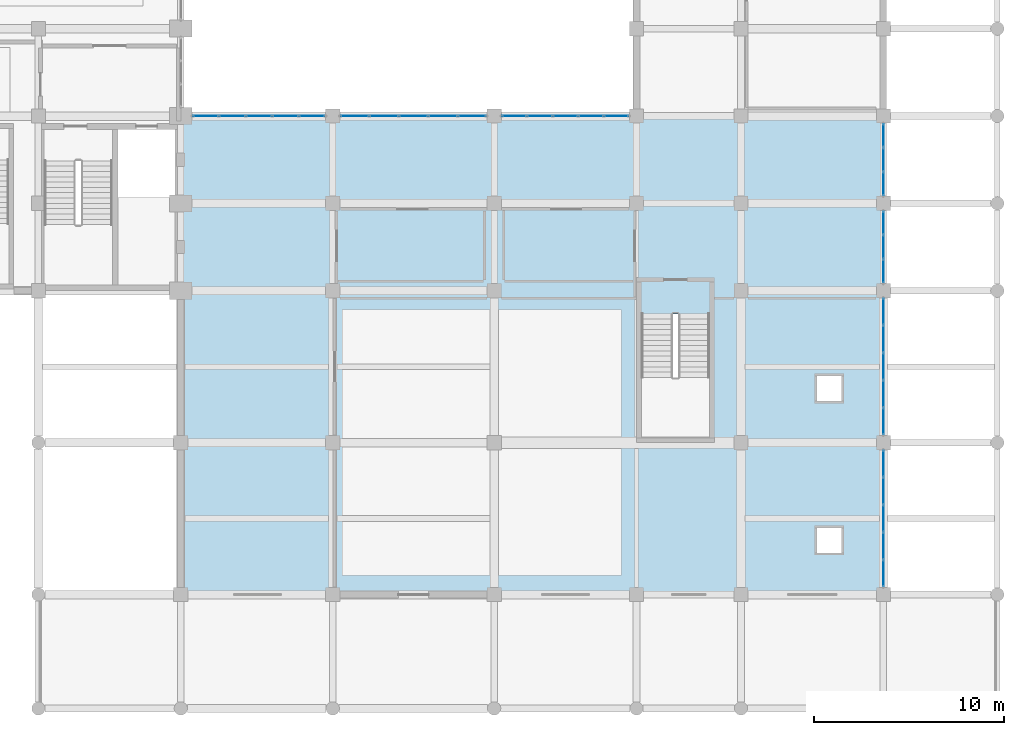
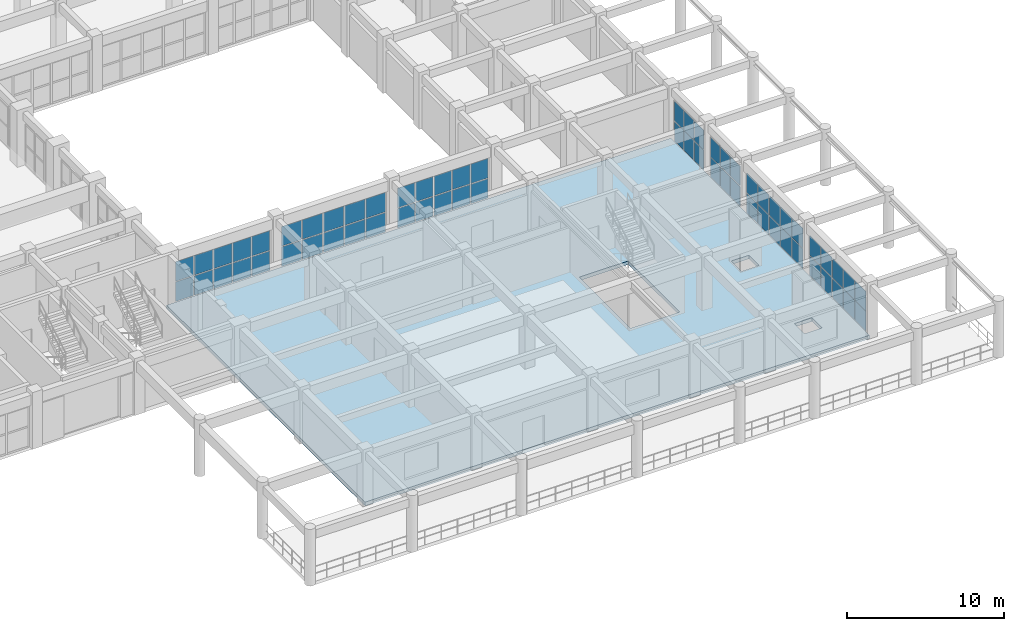
# One storey, part 91 of 116: 62 plates, 1 slab, 7 elements without a shape of their own.
"""IFC4 building model written with IfcOpenShell, lengths in metres."""

from ifc_helpers import new_model, si_unit, direction, frame, origin, origin_2d, place, context, subcontext, project, spatial, polyline, rectangle, outline, extrude, material, layer, layer_set, type_object, element, aggregate, save


model = new_model("IFC4")

# Units and contexts
model_context = context("Model", 3, precision=1e-05, world=origin(), true_north=direction((0.0, 1.0)))
body_context = subcontext(model_context, "Body", "Model", "MODEL_VIEW")
ifc_project = project(units=[si_unit("LENGTHUNIT", "METRE"), si_unit("AREAUNIT", "SQUARE_METRE"), si_unit("VOLUMEUNIT", "CUBIC_METRE"), si_unit("PLANEANGLEUNIT", "RADIAN"), si_unit("MASSUNIT", "GRAM", prefix="KILO")], contexts=[model_context])

# Site, building, storey
site_placement = place(None, origin())
site = spatial("IfcSite", under=ifc_project, at=site_placement, CompositionType="ELEMENT")
building_placement = place(site_placement, origin())
building = spatial("IfcBuilding", under=site, at=building_placement, Name="Muzn Square Opera House", CompositionType="ELEMENT")
storey_placement = place(building_placement, frame((0.0, 0.0, 5.39990234375)))
storey = spatial("IfcBuildingStorey", under=building, at=storey_placement, Name="L01", CompositionType="ELEMENT", Elevation=5.39990234375)

# Curtain wall, plates
ifc_material_1 = material(Name="Low-E laminated acoustic double glazing", Category="glass")
ifc_layer_1 = layer(ifc_material_1, 0.159912109375, Name="Low-E laminated acoustic double glazing", Category="glass")
ifc_layer_set_1 = layer_set([ifc_layer_1], Name="Low-E laminated acoustic double glazing")
curtain_wall_type_1 = type_object("IfcCurtainWallType", Name="Glazed Curtain Wall EastCloisterS 7025x3200", PredefinedType="USERDEFINED", material=ifc_layer_set_1)
curtain_wall_1_placement = place(storey_placement, origin())
curtain_wall_1 = element("IfcCurtainWall", 1, at=curtain_wall_1_placement, inside=storey, type_object=curtain_wall_type_1, Name="Glazed Curtain Wall CW-L01-087", ObjectType="GLAZED CURTAIN WALL", PredefinedType="USERDEFINED")
ifc_layer_2 = layer(ifc_material_1, 0.028076171875, Name="Low-E laminated acoustic double glazing", Category="glass")
ifc_layer_set_2 = layer_set([ifc_layer_2], Name="Low-E laminated acoustic double glazing")
plate_type = type_object("IfcPlateType", Name="Curtain Wall Acoustic Glazed Panel 28mm", PredefinedType="CURTAIN_PANEL", material=ifc_layer_set_2)
plate_1_placement = place(storey_placement, frame((134.3173828125, 31.199951171875, 0.06005859375), z_axis=(0.0, 0.0, 1.0), x_axis=(1.0, 0.0, 0.0)))
plate_1 = element("IfcPlate", 2, at=plate_1_placement, type_object=plate_type, Name="CW-ECS-70x32 panel 1.1", PredefinedType="CURTAIN_PANEL", context=body_context, shape_type="SweptSolid", body=[
    extrude(rectangle(XDim=1.31494140625, YDim=0.028076171875, at=origin_2d()), origin(), (0.0, 0.0, 1.0), 1.510009765625),
])
plate_2_placement = place(storey_placement, frame((134.3173828125, 31.199951171875, 1.6298828125), z_axis=(0.0, 0.0, 1.0), x_axis=(1.0, 0.0, 0.0)))
plate_2 = element("IfcPlate", 3, at=plate_2_placement, type_object=plate_type, Name="CW-ECS-70x32 panel 1.2", PredefinedType="CURTAIN_PANEL", context=body_context, shape_type="SweptSolid", body=[
    extrude(rectangle(XDim=1.31494140625, YDim=0.028076171875, at=origin_2d()), origin(), (0.0, 0.0, 1.0), 1.510009765625),
])
plate_3_placement = place(storey_placement, frame((135.70751953125, 31.199951171875, 0.06005859375), z_axis=(0.0, 0.0, 1.0), x_axis=(1.0, 0.0, 0.0)))
plate_3 = element("IfcPlate", 4, at=plate_3_placement, type_object=plate_type, Name="CW-ECS-70x32 panel 2.1", PredefinedType="CURTAIN_PANEL", context=body_context, shape_type="SweptSolid", body=[
    extrude(rectangle(XDim=1.344970703125, YDim=0.028076171875, at=origin_2d()), origin(), (0.0, 0.0, 1.0), 1.510009765625),
])
plate_4_placement = place(storey_placement, frame((135.70751953125, 31.199951171875, 1.6298828125), z_axis=(0.0, 0.0, 1.0), x_axis=(1.0, 0.0, 0.0)))
plate_4 = element("IfcPlate", 5, at=plate_4_placement, type_object=plate_type, Name="CW-ECS-70x32 panel 2.2", PredefinedType="CURTAIN_PANEL", context=body_context, shape_type="SweptSolid", body=[
    extrude(rectangle(XDim=1.344970703125, YDim=0.028076171875, at=origin_2d()), origin(), (0.0, 0.0, 1.0), 1.510009765625),
])
plate_5_placement = place(storey_placement, frame((137.112548828125, 31.199951171875, 0.06005859375), z_axis=(0.0, 0.0, 1.0), x_axis=(1.0, 0.0, 0.0)))
plate_5 = element("IfcPlate", 6, at=plate_5_placement, type_object=plate_type, Name="CW-ECS-70x32 panel 3.1", PredefinedType="CURTAIN_PANEL", context=body_context, shape_type="SweptSolid", body=[
    extrude(rectangle(XDim=1.344970703125, YDim=0.028076171875, at=origin_2d()), origin(), (0.0, 0.0, 1.0), 1.510009765625),
])
plate_6_placement = place(storey_placement, frame((137.112548828125, 31.199951171875, 1.6298828125), z_axis=(0.0, 0.0, 1.0), x_axis=(1.0, 0.0, 0.0)))
plate_6 = element("IfcPlate", 7, at=plate_6_placement, type_object=plate_type, Name="CW-ECS-70x32 panel 3.2", PredefinedType="CURTAIN_PANEL", context=body_context, shape_type="SweptSolid", body=[
    extrude(rectangle(XDim=1.344970703125, YDim=0.028076171875, at=origin_2d()), origin(), (0.0, 0.0, 1.0), 1.510009765625),
])
plate_7_placement = place(storey_placement, frame((138.517578125, 31.199951171875, 0.06005859375), z_axis=(0.0, 0.0, 1.0), x_axis=(1.0, 0.0, 0.0)))
plate_7 = element("IfcPlate", 8, at=plate_7_placement, type_object=plate_type, Name="CW-ECS-70x32 panel 4.1", PredefinedType="CURTAIN_PANEL", context=body_context, shape_type="SweptSolid", body=[
    extrude(rectangle(XDim=1.344970703125, YDim=0.028076171875, at=origin_2d()), origin(), (0.0, 0.0, 1.0), 1.510009765625),
])
plate_8_placement = place(storey_placement, frame((138.517578125, 31.199951171875, 1.6298828125), z_axis=(0.0, 0.0, 1.0), x_axis=(1.0, 0.0, 0.0)))
plate_8 = element("IfcPlate", 9, at=plate_8_placement, type_object=plate_type, Name="CW-ECS-70x32 panel 4.2", PredefinedType="CURTAIN_PANEL", context=body_context, shape_type="SweptSolid", body=[
    extrude(rectangle(XDim=1.344970703125, YDim=0.028076171875, at=origin_2d()), origin(), (0.0, 0.0, 1.0), 1.510009765625),
])
plate_9_placement = place(storey_placement, frame((139.907470703125, 31.199951171875, 0.06005859375), z_axis=(0.0, 0.0, 1.0), x_axis=(1.0, 0.0, 0.0)))
plate_9 = element("IfcPlate", 10, at=plate_9_placement, type_object=plate_type, Name="CW-ECS-70x32 panel 5.1", PredefinedType="CURTAIN_PANEL", context=body_context, shape_type="SweptSolid", body=[
    extrude(rectangle(XDim=1.31494140625, YDim=0.028076171875, at=origin_2d()), origin(), (0.0, 0.0, 1.0), 1.510009765625),
])
plate_10_placement = place(storey_placement, frame((139.907470703125, 31.199951171875, 1.6298828125), z_axis=(0.0, 0.0, 1.0), x_axis=(1.0, 0.0, 0.0)))
plate_10 = element("IfcPlate", 11, at=plate_10_placement, type_object=plate_type, Name="CW-ECS-70x32 panel 5.2", PredefinedType="CURTAIN_PANEL", context=body_context, shape_type="SweptSolid", body=[
    extrude(rectangle(XDim=1.31494140625, YDim=0.028076171875, at=origin_2d()), origin(), (0.0, 0.0, 1.0), 1.510009765625),
])
aggregate(curtain_wall_1, [plate_1, plate_2, plate_3, plate_4, plate_5, plate_6, plate_7, plate_8, plate_9, plate_10])

ifc_layer_3 = layer(ifc_material_1, 0.159912109375, Name="Low-E laminated acoustic double glazing", Category="glass")
ifc_layer_set_3 = layer_set([ifc_layer_3], Name="Low-E laminated acoustic double glazing")
curtain_wall_type_2 = type_object("IfcCurtainWallType", Name="Glazed Curtain Wall EastCloisterS 7750x3200", PredefinedType="USERDEFINED", material=ifc_layer_set_3)
curtain_wall_2_placement = place(storey_placement, origin())
curtain_wall_2 = element("IfcCurtainWall", 12, at=curtain_wall_2_placement, inside=storey, type_object=curtain_wall_type_2, Name="Glazed Curtain Wall CW-L01-089", ObjectType="GLAZED CURTAIN WALL", PredefinedType="USERDEFINED")
plate_11_placement = place(storey_placement, frame((142.1650390625, 31.199951171875, 0.06005859375), z_axis=(0.0, 0.0, 1.0), x_axis=(1.0, 0.0, 0.0)))
plate_11 = element("IfcPlate", 13, at=plate_11_placement, type_object=plate_type, Name="CW-ECS-77x32 panel 1.1", PredefinedType="CURTAIN_PANEL", context=body_context, shape_type="SweptSolid", body=[
    extrude(rectangle(XDim=1.4599609375, YDim=0.028076171875, at=origin_2d()), origin(), (0.0, 0.0, 1.0), 1.510009765625),
])
plate_12_placement = place(storey_placement, frame((142.1650390625, 31.199951171875, 1.6298828125), z_axis=(0.0, 0.0, 1.0), x_axis=(1.0, 0.0, 0.0)))
plate_12 = element("IfcPlate", 14, at=plate_12_placement, type_object=plate_type, Name="CW-ECS-77x32 panel 1.2", PredefinedType="CURTAIN_PANEL", context=body_context, shape_type="SweptSolid", body=[
    extrude(rectangle(XDim=1.4599609375, YDim=0.028076171875, at=origin_2d()), origin(), (0.0, 0.0, 1.0), 1.510009765625),
])
plate_13_placement = place(storey_placement, frame((143.699951171875, 31.199951171875, 0.06005859375), z_axis=(0.0, 0.0, 1.0), x_axis=(1.0, 0.0, 0.0)))
plate_13 = element("IfcPlate", 15, at=plate_13_placement, type_object=plate_type, Name="CW-ECS-77x32 panel 2.1", PredefinedType="CURTAIN_PANEL", context=body_context, shape_type="SweptSolid", body=[
    extrude(rectangle(XDim=1.489990234375, YDim=0.028076171875, at=origin_2d()), origin(), (0.0, 0.0, 1.0), 1.510009765625),
])
plate_14_placement = place(storey_placement, frame((143.699951171875, 31.199951171875, 1.6298828125), z_axis=(0.0, 0.0, 1.0), x_axis=(1.0, 0.0, 0.0)))
plate_14 = element("IfcPlate", 16, at=plate_14_placement, type_object=plate_type, Name="CW-ECS-77x32 panel 2.2", PredefinedType="CURTAIN_PANEL", context=body_context, shape_type="SweptSolid", body=[
    extrude(rectangle(XDim=1.489990234375, YDim=0.028076171875, at=origin_2d()), origin(), (0.0, 0.0, 1.0), 1.510009765625),
])
plate_15_placement = place(storey_placement, frame((145.25, 31.199951171875, 0.06005859375), z_axis=(0.0, 0.0, 1.0), x_axis=(1.0, 0.0, 0.0)))
plate_15 = element("IfcPlate", 17, at=plate_15_placement, type_object=plate_type, Name="CW-ECS-77x32 panel 3.1", PredefinedType="CURTAIN_PANEL", context=body_context, shape_type="SweptSolid", body=[
    extrude(rectangle(XDim=1.489990234375, YDim=0.028076171875, at=origin_2d()), origin(), (0.0, 0.0, 1.0), 1.510009765625),
])
plate_16_placement = place(storey_placement, frame((145.25, 31.199951171875, 1.6298828125), z_axis=(0.0, 0.0, 1.0), x_axis=(1.0, 0.0, 0.0)))
plate_16 = element("IfcPlate", 18, at=plate_16_placement, type_object=plate_type, Name="CW-ECS-77x32 panel 3.2", PredefinedType="CURTAIN_PANEL", context=body_context, shape_type="SweptSolid", body=[
    extrude(rectangle(XDim=1.489990234375, YDim=0.028076171875, at=origin_2d()), origin(), (0.0, 0.0, 1.0), 1.510009765625),
])
plate_17_placement = place(storey_placement, frame((146.800048828125, 31.199951171875, 0.06005859375), z_axis=(0.0, 0.0, 1.0), x_axis=(1.0, 0.0, 0.0)))
plate_17 = element("IfcPlate", 19, at=plate_17_placement, type_object=plate_type, Name="CW-ECS-77x32 panel 4.1", PredefinedType="CURTAIN_PANEL", context=body_context, shape_type="SweptSolid", body=[
    extrude(rectangle(XDim=1.489990234375, YDim=0.028076171875, at=origin_2d()), origin(), (0.0, 0.0, 1.0), 1.510009765625),
])
plate_18_placement = place(storey_placement, frame((146.800048828125, 31.199951171875, 1.6298828125), z_axis=(0.0, 0.0, 1.0), x_axis=(1.0, 0.0, 0.0)))
plate_18 = element("IfcPlate", 20, at=plate_18_placement, type_object=plate_type, Name="CW-ECS-77x32 panel 4.2", PredefinedType="CURTAIN_PANEL", context=body_context, shape_type="SweptSolid", body=[
    extrude(rectangle(XDim=1.489990234375, YDim=0.028076171875, at=origin_2d()), origin(), (0.0, 0.0, 1.0), 1.510009765625),
])
plate_19_placement = place(storey_placement, frame((148.3349609375, 31.199951171875, 0.06005859375), z_axis=(0.0, 0.0, 1.0), x_axis=(1.0, 0.0, 0.0)))
plate_19 = element("IfcPlate", 21, at=plate_19_placement, type_object=plate_type, Name="CW-ECS-77x32 panel 5.1", PredefinedType="CURTAIN_PANEL", context=body_context, shape_type="SweptSolid", body=[
    extrude(rectangle(XDim=1.4599609375, YDim=0.028076171875, at=origin_2d()), origin(), (0.0, 0.0, 1.0), 1.510009765625),
])
plate_20_placement = place(storey_placement, frame((148.3349609375, 31.199951171875, 1.6298828125), z_axis=(0.0, 0.0, 1.0), x_axis=(1.0, 0.0, 0.0)))
plate_20 = element("IfcPlate", 22, at=plate_20_placement, type_object=plate_type, Name="CW-ECS-77x32 panel 5.2", PredefinedType="CURTAIN_PANEL", context=body_context, shape_type="SweptSolid", body=[
    extrude(rectangle(XDim=1.4599609375, YDim=0.028076171875, at=origin_2d()), origin(), (0.0, 0.0, 1.0), 1.510009765625),
])
aggregate(curtain_wall_2, [plate_11, plate_12, plate_13, plate_14, plate_15, plate_16, plate_17, plate_18, plate_19, plate_20])

ifc_layer_4 = layer(ifc_material_1, 0.159912109375, Name="Low-E laminated acoustic double glazing", Category="glass")
ifc_layer_set_4 = layer_set([ifc_layer_4], Name="Low-E laminated acoustic double glazing")
curtain_wall_type_3 = type_object("IfcCurtainWallType", Name="Glazed Curtain Wall EastCloisterS 6750x3200", PredefinedType="USERDEFINED", material=ifc_layer_set_4)
curtain_wall_3_placement = place(storey_placement, origin())
curtain_wall_3 = element("IfcCurtainWall", 23, at=curtain_wall_3_placement, inside=storey, type_object=curtain_wall_type_3, Name="Glazed Curtain Wall CW-L01-091", ObjectType="GLAZED CURTAIN WALL", PredefinedType="USERDEFINED")
plate_21_placement = place(storey_placement, frame((150.56494140625, 31.199951171875, 0.06005859375), z_axis=(0.0, 0.0, 1.0), x_axis=(1.0, 0.0, 0.0)))
plate_21 = element("IfcPlate", 24, at=plate_21_placement, type_object=plate_type, Name="CW-ECS-67x32 panel 1.1", PredefinedType="CURTAIN_PANEL", context=body_context, shape_type="SweptSolid", body=[
    extrude(rectangle(XDim=1.260009765625, YDim=0.028076171875, at=origin_2d()), origin(), (0.0, 0.0, 1.0), 1.510009765625),
])
plate_22_placement = place(storey_placement, frame((150.56494140625, 31.199951171875, 1.6298828125), z_axis=(0.0, 0.0, 1.0), x_axis=(1.0, 0.0, 0.0)))
plate_22 = element("IfcPlate", 25, at=plate_22_placement, type_object=plate_type, Name="CW-ECS-67x32 panel 1.2", PredefinedType="CURTAIN_PANEL", context=body_context, shape_type="SweptSolid", body=[
    extrude(rectangle(XDim=1.260009765625, YDim=0.028076171875, at=origin_2d()), origin(), (0.0, 0.0, 1.0), 1.510009765625),
])
plate_23_placement = place(storey_placement, frame((151.89990234375, 31.199951171875, 0.06005859375), z_axis=(0.0, 0.0, 1.0), x_axis=(1.0, 0.0, 0.0)))
plate_23 = element("IfcPlate", 26, at=plate_23_placement, type_object=plate_type, Name="CW-ECS-67x32 panel 2.1", PredefinedType="CURTAIN_PANEL", context=body_context, shape_type="SweptSolid", body=[
    extrude(rectangle(XDim=1.2900390625, YDim=0.028076171875, at=origin_2d()), origin(), (0.0, 0.0, 1.0), 1.510009765625),
])
plate_24_placement = place(storey_placement, frame((151.89990234375, 31.199951171875, 1.6298828125), z_axis=(0.0, 0.0, 1.0), x_axis=(1.0, 0.0, 0.0)))
plate_24 = element("IfcPlate", 27, at=plate_24_placement, type_object=plate_type, Name="CW-ECS-67x32 panel 2.2", PredefinedType="CURTAIN_PANEL", context=body_context, shape_type="SweptSolid", body=[
    extrude(rectangle(XDim=1.2900390625, YDim=0.028076171875, at=origin_2d()), origin(), (0.0, 0.0, 1.0), 1.510009765625),
])
plate_25_placement = place(storey_placement, frame((153.25, 31.199951171875, 0.06005859375), z_axis=(0.0, 0.0, 1.0), x_axis=(1.0, 0.0, 0.0)))
plate_25 = element("IfcPlate", 28, at=plate_25_placement, type_object=plate_type, Name="CW-ECS-67x32 panel 3.1", PredefinedType="CURTAIN_PANEL", context=body_context, shape_type="SweptSolid", body=[
    extrude(rectangle(XDim=1.2900390625, YDim=0.028076171875, at=origin_2d()), origin(), (0.0, 0.0, 1.0), 1.510009765625),
])
plate_26_placement = place(storey_placement, frame((153.25, 31.199951171875, 1.6298828125), z_axis=(0.0, 0.0, 1.0), x_axis=(1.0, 0.0, 0.0)))
plate_26 = element("IfcPlate", 29, at=plate_26_placement, type_object=plate_type, Name="CW-ECS-67x32 panel 3.2", PredefinedType="CURTAIN_PANEL", context=body_context, shape_type="SweptSolid", body=[
    extrude(rectangle(XDim=1.2900390625, YDim=0.028076171875, at=origin_2d()), origin(), (0.0, 0.0, 1.0), 1.510009765625),
])
plate_27_placement = place(storey_placement, frame((154.60009765625, 31.199951171875, 0.06005859375), z_axis=(0.0, 0.0, 1.0), x_axis=(1.0, 0.0, 0.0)))
plate_27 = element("IfcPlate", 30, at=plate_27_placement, type_object=plate_type, Name="CW-ECS-67x32 panel 4.1", PredefinedType="CURTAIN_PANEL", context=body_context, shape_type="SweptSolid", body=[
    extrude(rectangle(XDim=1.2900390625, YDim=0.028076171875, at=origin_2d()), origin(), (0.0, 0.0, 1.0), 1.510009765625),
])
plate_28_placement = place(storey_placement, frame((154.60009765625, 31.199951171875, 1.6298828125), z_axis=(0.0, 0.0, 1.0), x_axis=(1.0, 0.0, 0.0)))
plate_28 = element("IfcPlate", 31, at=plate_28_placement, type_object=plate_type, Name="CW-ECS-67x32 panel 4.2", PredefinedType="CURTAIN_PANEL", context=body_context, shape_type="SweptSolid", body=[
    extrude(rectangle(XDim=1.2900390625, YDim=0.028076171875, at=origin_2d()), origin(), (0.0, 0.0, 1.0), 1.510009765625),
])
plate_29_placement = place(storey_placement, frame((155.93505859375, 31.199951171875, 0.06005859375), z_axis=(0.0, 0.0, 1.0), x_axis=(1.0, 0.0, 0.0)))
plate_29 = element("IfcPlate", 32, at=plate_29_placement, type_object=plate_type, Name="CW-ECS-67x32 panel 5.1", PredefinedType="CURTAIN_PANEL", context=body_context, shape_type="SweptSolid", body=[
    extrude(rectangle(XDim=1.260009765625, YDim=0.028076171875, at=origin_2d()), origin(), (0.0, 0.0, 1.0), 1.510009765625),
])
plate_30_placement = place(storey_placement, frame((155.93505859375, 31.199951171875, 1.6298828125), z_axis=(0.0, 0.0, 1.0), x_axis=(1.0, 0.0, 0.0)))
plate_30 = element("IfcPlate", 33, at=plate_30_placement, type_object=plate_type, Name="CW-ECS-67x32 panel 5.2", PredefinedType="CURTAIN_PANEL", context=body_context, shape_type="SweptSolid", body=[
    extrude(rectangle(XDim=1.260009765625, YDim=0.028076171875, at=origin_2d()), origin(), (0.0, 0.0, 1.0), 1.510009765625),
])
aggregate(curtain_wall_3, [plate_21, plate_22, plate_23, plate_24, plate_25, plate_26, plate_27, plate_28, plate_29, plate_30])

ifc_layer_5 = layer(ifc_material_1, 0.159912109375, Name="Low-E laminated acoustic double glazing", Category="glass")
ifc_layer_set_5 = layer_set([ifc_layer_5], Name="Low-E laminated acoustic double glazing")
curtain_wall_type_4 = type_object("IfcCurtainWallType", Name="Glazed Curtain Wall EastBlvd 7250x3200", PredefinedType="USERDEFINED", material=ifc_layer_set_5)
curtain_wall_4_placement = place(storey_placement, origin())
curtain_wall_4 = element("IfcCurtainWall", 34, at=curtain_wall_4_placement, inside=storey, type_object=curtain_wall_type_4, Name="Glazed Curtain Wall CW-L01-112", ObjectType="GLAZED CURTAIN WALL", PredefinedType="USERDEFINED")
plate_31_placement = place(storey_placement, frame((170.0, 7.114990234375, 0.06005859375), z_axis=(0.0, 0.0, 1.0), x_axis=(0.0, 1.0, 0.0)))
plate_31 = element("IfcPlate", 35, at=plate_31_placement, type_object=plate_type, Name="CW-EBL-72x32 panel 1.1", PredefinedType="CURTAIN_PANEL", context=body_context, shape_type="SweptSolid", body=[
    extrude(rectangle(XDim=1.360107421875, YDim=0.028076171875, at=origin_2d()), origin(), (0.0, 0.0, 1.0), 1.510009765625),
])
plate_32_placement = place(storey_placement, frame((170.0, 7.114990234375, 1.6298828125), z_axis=(0.0, 0.0, 1.0), x_axis=(0.0, 1.0, 0.0)))
plate_32 = element("IfcPlate", 36, at=plate_32_placement, type_object=plate_type, Name="CW-EBL-72x32 panel 1.2", PredefinedType="CURTAIN_PANEL", context=body_context, shape_type="SweptSolid", body=[
    extrude(rectangle(XDim=1.360107421875, YDim=0.028076171875, at=origin_2d()), origin(), (0.0, 0.0, 1.0), 1.510009765625),
])
plate_33_placement = place(storey_placement, frame((170.0, 8.550048828125, 0.06005859375), z_axis=(0.0, 0.0, 1.0), x_axis=(0.0, 1.0, 0.0)))
plate_33 = element("IfcPlate", 37, at=plate_33_placement, type_object=plate_type, Name="CW-EBL-72x32 panel 2.1", PredefinedType="CURTAIN_PANEL", context=body_context, shape_type="SweptSolid", body=[
    extrude(rectangle(XDim=1.389892578125, YDim=0.028076171875, at=origin_2d()), origin(), (0.0, 0.0, 1.0), 1.510009765625),
])
plate_34_placement = place(storey_placement, frame((170.0, 8.550048828125, 1.6298828125), z_axis=(0.0, 0.0, 1.0), x_axis=(0.0, 1.0, 0.0)))
plate_34 = element("IfcPlate", 38, at=plate_34_placement, type_object=plate_type, Name="CW-EBL-72x32 panel 2.2", PredefinedType="CURTAIN_PANEL", context=body_context, shape_type="SweptSolid", body=[
    extrude(rectangle(XDim=1.389892578125, YDim=0.028076171875, at=origin_2d()), origin(), (0.0, 0.0, 1.0), 1.510009765625),
])
plate_35_placement = place(storey_placement, frame((170.0, 10.0, 0.06005859375), z_axis=(0.0, 0.0, 1.0), x_axis=(0.0, 1.0, 0.0)))
plate_35 = element("IfcPlate", 39, at=plate_35_placement, type_object=plate_type, Name="CW-EBL-72x32 panel 3.1", PredefinedType="CURTAIN_PANEL", context=body_context, shape_type="SweptSolid", body=[
    extrude(rectangle(XDim=1.389892578125, YDim=0.028076171875, at=origin_2d()), origin(), (0.0, 0.0, 1.0), 1.510009765625),
])
plate_36_placement = place(storey_placement, frame((170.0, 10.0, 1.6298828125), z_axis=(0.0, 0.0, 1.0), x_axis=(0.0, 1.0, 0.0)))
plate_36 = element("IfcPlate", 40, at=plate_36_placement, type_object=plate_type, Name="CW-EBL-72x32 panel 3.2", PredefinedType="CURTAIN_PANEL", context=body_context, shape_type="SweptSolid", body=[
    extrude(rectangle(XDim=1.389892578125, YDim=0.028076171875, at=origin_2d()), origin(), (0.0, 0.0, 1.0), 1.510009765625),
])
plate_37_placement = place(storey_placement, frame((170.0, 11.449951171875, 0.06005859375), z_axis=(0.0, 0.0, 1.0), x_axis=(0.0, 1.0, 0.0)))
plate_37 = element("IfcPlate", 41, at=plate_37_placement, type_object=plate_type, Name="CW-EBL-72x32 panel 4.1", PredefinedType="CURTAIN_PANEL", context=body_context, shape_type="SweptSolid", body=[
    extrude(rectangle(XDim=1.389892578125, YDim=0.028076171875, at=origin_2d()), origin(), (0.0, 0.0, 1.0), 1.510009765625),
])
plate_38_placement = place(storey_placement, frame((170.0, 11.449951171875, 1.6298828125), z_axis=(0.0, 0.0, 1.0), x_axis=(0.0, 1.0, 0.0)))
plate_38 = element("IfcPlate", 42, at=plate_38_placement, type_object=plate_type, Name="CW-EBL-72x32 panel 4.2", PredefinedType="CURTAIN_PANEL", context=body_context, shape_type="SweptSolid", body=[
    extrude(rectangle(XDim=1.389892578125, YDim=0.028076171875, at=origin_2d()), origin(), (0.0, 0.0, 1.0), 1.510009765625),
])
plate_39_placement = place(storey_placement, frame((170.0, 12.885009765625, 0.06005859375), z_axis=(0.0, 0.0, 1.0), x_axis=(0.0, 1.0, 0.0)))
plate_39 = element("IfcPlate", 43, at=plate_39_placement, type_object=plate_type, Name="CW-EBL-72x32 panel 5.1", PredefinedType="CURTAIN_PANEL", context=body_context, shape_type="SweptSolid", body=[
    extrude(rectangle(XDim=1.360107421875, YDim=0.028076171875, at=origin_2d()), origin(), (0.0, 0.0, 1.0), 1.510009765625),
])
plate_40_placement = place(storey_placement, frame((170.0, 12.885009765625, 1.6298828125), z_axis=(0.0, 0.0, 1.0), x_axis=(0.0, 1.0, 0.0)))
plate_40 = element("IfcPlate", 44, at=plate_40_placement, type_object=plate_type, Name="CW-EBL-72x32 panel 5.2", PredefinedType="CURTAIN_PANEL", context=body_context, shape_type="SweptSolid", body=[
    extrude(rectangle(XDim=1.360107421875, YDim=0.028076171875, at=origin_2d()), origin(), (0.0, 0.0, 1.0), 1.510009765625),
])
aggregate(curtain_wall_4, [plate_31, plate_32, plate_33, plate_34, plate_35, plate_36, plate_37, plate_38, plate_39, plate_40])

curtain_wall_5_placement = place(storey_placement, origin())
curtain_wall_5 = element("IfcCurtainWall", 45, at=curtain_wall_5_placement, inside=storey, type_object=curtain_wall_type_4, Name="Glazed Curtain Wall CW-L01-113", ObjectType="GLAZED CURTAIN WALL", PredefinedType="USERDEFINED")
plate_41_placement = place(storey_placement, frame((170.0, 15.114990234375, 0.06005859375), z_axis=(0.0, 0.0, 1.0), x_axis=(0.0, 1.0, 0.0)))
plate_41 = element("IfcPlate", 46, at=plate_41_placement, type_object=plate_type, Name="CW-EBL-72x32 panel 1.1", PredefinedType="CURTAIN_PANEL", context=body_context, shape_type="SweptSolid", body=[
    extrude(rectangle(XDim=1.360107421875, YDim=0.028076171875, at=origin_2d()), origin(), (0.0, 0.0, 1.0), 1.510009765625),
])
plate_42_placement = place(storey_placement, frame((170.0, 15.114990234375, 1.6298828125), z_axis=(0.0, 0.0, 1.0), x_axis=(0.0, 1.0, 0.0)))
plate_42 = element("IfcPlate", 47, at=plate_42_placement, type_object=plate_type, Name="CW-EBL-72x32 panel 1.2", PredefinedType="CURTAIN_PANEL", context=body_context, shape_type="SweptSolid", body=[
    extrude(rectangle(XDim=1.360107421875, YDim=0.028076171875, at=origin_2d()), origin(), (0.0, 0.0, 1.0), 1.510009765625),
])
plate_43_placement = place(storey_placement, frame((170.0, 16.550048828125, 0.06005859375), z_axis=(0.0, 0.0, 1.0), x_axis=(0.0, 1.0, 0.0)))
plate_43 = element("IfcPlate", 48, at=plate_43_placement, type_object=plate_type, Name="CW-EBL-72x32 panel 2.1", PredefinedType="CURTAIN_PANEL", context=body_context, shape_type="SweptSolid", body=[
    extrude(rectangle(XDim=1.389892578125, YDim=0.028076171875, at=origin_2d()), origin(), (0.0, 0.0, 1.0), 1.510009765625),
])
plate_44_placement = place(storey_placement, frame((170.0, 16.550048828125, 1.6298828125), z_axis=(0.0, 0.0, 1.0), x_axis=(0.0, 1.0, 0.0)))
plate_44 = element("IfcPlate", 49, at=plate_44_placement, type_object=plate_type, Name="CW-EBL-72x32 panel 2.2", PredefinedType="CURTAIN_PANEL", context=body_context, shape_type="SweptSolid", body=[
    extrude(rectangle(XDim=1.389892578125, YDim=0.028076171875, at=origin_2d()), origin(), (0.0, 0.0, 1.0), 1.510009765625),
])
plate_45_placement = place(storey_placement, frame((170.0, 18.0, 0.06005859375), z_axis=(0.0, 0.0, 1.0), x_axis=(0.0, 1.0, 0.0)))
plate_45 = element("IfcPlate", 50, at=plate_45_placement, type_object=plate_type, Name="CW-EBL-72x32 panel 3.1", PredefinedType="CURTAIN_PANEL", context=body_context, shape_type="SweptSolid", body=[
    extrude(rectangle(XDim=1.389892578125, YDim=0.028076171875, at=origin_2d()), origin(), (0.0, 0.0, 1.0), 1.510009765625),
])
plate_46_placement = place(storey_placement, frame((170.0, 18.0, 1.6298828125), z_axis=(0.0, 0.0, 1.0), x_axis=(0.0, 1.0, 0.0)))
plate_46 = element("IfcPlate", 51, at=plate_46_placement, type_object=plate_type, Name="CW-EBL-72x32 panel 3.2", PredefinedType="CURTAIN_PANEL", context=body_context, shape_type="SweptSolid", body=[
    extrude(rectangle(XDim=1.389892578125, YDim=0.028076171875, at=origin_2d()), origin(), (0.0, 0.0, 1.0), 1.510009765625),
])
plate_47_placement = place(storey_placement, frame((170.0, 19.449951171875, 0.06005859375), z_axis=(0.0, 0.0, 1.0), x_axis=(0.0, 1.0, 0.0)))
plate_47 = element("IfcPlate", 52, at=plate_47_placement, type_object=plate_type, Name="CW-EBL-72x32 panel 4.1", PredefinedType="CURTAIN_PANEL", context=body_context, shape_type="SweptSolid", body=[
    extrude(rectangle(XDim=1.389892578125, YDim=0.028076171875, at=origin_2d()), origin(), (0.0, 0.0, 1.0), 1.510009765625),
])
plate_48_placement = place(storey_placement, frame((170.0, 19.449951171875, 1.6298828125), z_axis=(0.0, 0.0, 1.0), x_axis=(0.0, 1.0, 0.0)))
plate_48 = element("IfcPlate", 53, at=plate_48_placement, type_object=plate_type, Name="CW-EBL-72x32 panel 4.2", PredefinedType="CURTAIN_PANEL", context=body_context, shape_type="SweptSolid", body=[
    extrude(rectangle(XDim=1.389892578125, YDim=0.028076171875, at=origin_2d()), origin(), (0.0, 0.0, 1.0), 1.510009765625),
])
plate_49_placement = place(storey_placement, frame((170.0, 20.885009765625, 0.06005859375), z_axis=(0.0, 0.0, 1.0), x_axis=(0.0, 1.0, 0.0)))
plate_49 = element("IfcPlate", 54, at=plate_49_placement, type_object=plate_type, Name="CW-EBL-72x32 panel 5.1", PredefinedType="CURTAIN_PANEL", context=body_context, shape_type="SweptSolid", body=[
    extrude(rectangle(XDim=1.360107421875, YDim=0.028076171875, at=origin_2d()), origin(), (0.0, 0.0, 1.0), 1.510009765625),
])
plate_50_placement = place(storey_placement, frame((170.0, 20.885009765625, 1.6298828125), z_axis=(0.0, 0.0, 1.0), x_axis=(0.0, 1.0, 0.0)))
plate_50 = element("IfcPlate", 55, at=plate_50_placement, type_object=plate_type, Name="CW-EBL-72x32 panel 5.2", PredefinedType="CURTAIN_PANEL", context=body_context, shape_type="SweptSolid", body=[
    extrude(rectangle(XDim=1.360107421875, YDim=0.028076171875, at=origin_2d()), origin(), (0.0, 0.0, 1.0), 1.510009765625),
])
aggregate(curtain_wall_5, [plate_41, plate_42, plate_43, plate_44, plate_45, plate_46, plate_47, plate_48, plate_49, plate_50])

ifc_layer_6 = layer(ifc_material_1, 0.159912109375, Name="Low-E laminated acoustic double glazing", Category="glass")
ifc_layer_set_6 = layer_set([ifc_layer_6], Name="Low-E laminated acoustic double glazing")
curtain_wall_type_5 = type_object("IfcCurtainWallType", Name="Glazed Curtain Wall EastBlvd 3850x3200", PredefinedType="USERDEFINED", material=ifc_layer_set_6)
curtain_wall_6_placement = place(storey_placement, origin())
curtain_wall_6 = element("IfcCurtainWall", 56, at=curtain_wall_6_placement, inside=storey, type_object=curtain_wall_type_5, Name="Glazed Curtain Wall CW-L01-114", ObjectType="GLAZED CURTAIN WALL", PredefinedType="USERDEFINED")
plate_51_placement = place(storey_placement, frame((170.0, 23.03173828125, 0.06005859375), z_axis=(0.0, 0.0, 1.0), x_axis=(0.0, 1.0, 0.0)))
plate_51 = element("IfcPlate", 57, at=plate_51_placement, type_object=plate_type, Name="CW-EBL-38x32 panel 1.1", PredefinedType="CURTAIN_PANEL", context=body_context, shape_type="SweptSolid", body=[
    extrude(rectangle(XDim=1.193359375, YDim=0.028076171875, at=origin_2d()), origin(), (0.0, 0.0, 1.0), 1.510009765625),
])
plate_52_placement = place(storey_placement, frame((170.0, 23.03173828125, 1.6298828125), z_axis=(0.0, 0.0, 1.0), x_axis=(0.0, 1.0, 0.0)))
plate_52 = element("IfcPlate", 58, at=plate_52_placement, type_object=plate_type, Name="CW-EBL-38x32 panel 1.2", PredefinedType="CURTAIN_PANEL", context=body_context, shape_type="SweptSolid", body=[
    extrude(rectangle(XDim=1.193359375, YDim=0.028076171875, at=origin_2d()), origin(), (0.0, 0.0, 1.0), 1.510009765625),
])
plate_53_placement = place(storey_placement, frame((170.0, 24.300048828125, 0.06005859375), z_axis=(0.0, 0.0, 1.0), x_axis=(0.0, 1.0, 0.0)))
plate_53 = element("IfcPlate", 59, at=plate_53_placement, type_object=plate_type, Name="CW-EBL-38x32 panel 2.1", PredefinedType="CURTAIN_PANEL", context=body_context, shape_type="SweptSolid", body=[
    extrude(rectangle(XDim=1.223388671875, YDim=0.028076171875, at=origin_2d()), origin(), (0.0, 0.0, 1.0), 1.510009765625),
])
plate_54_placement = place(storey_placement, frame((170.0, 24.300048828125, 1.6298828125), z_axis=(0.0, 0.0, 1.0), x_axis=(0.0, 1.0, 0.0)))
plate_54 = element("IfcPlate", 60, at=plate_54_placement, type_object=plate_type, Name="CW-EBL-38x32 panel 2.2", PredefinedType="CURTAIN_PANEL", context=body_context, shape_type="SweptSolid", body=[
    extrude(rectangle(XDim=1.223388671875, YDim=0.028076171875, at=origin_2d()), origin(), (0.0, 0.0, 1.0), 1.510009765625),
])
plate_55_placement = place(storey_placement, frame((170.0, 25.568359375, 0.06005859375), z_axis=(0.0, 0.0, 1.0), x_axis=(0.0, 1.0, 0.0)))
plate_55 = element("IfcPlate", 61, at=plate_55_placement, type_object=plate_type, Name="CW-EBL-38x32 panel 3.1", PredefinedType="CURTAIN_PANEL", context=body_context, shape_type="SweptSolid", body=[
    extrude(rectangle(XDim=1.193359375, YDim=0.028076171875, at=origin_2d()), origin(), (0.0, 0.0, 1.0), 1.510009765625),
])
plate_56_placement = place(storey_placement, frame((170.0, 25.568359375, 1.6298828125), z_axis=(0.0, 0.0, 1.0), x_axis=(0.0, 1.0, 0.0)))
plate_56 = element("IfcPlate", 62, at=plate_56_placement, type_object=plate_type, Name="CW-EBL-38x32 panel 3.2", PredefinedType="CURTAIN_PANEL", context=body_context, shape_type="SweptSolid", body=[
    extrude(rectangle(XDim=1.193359375, YDim=0.028076171875, at=origin_2d()), origin(), (0.0, 0.0, 1.0), 1.510009765625),
])
aggregate(curtain_wall_6, [plate_51, plate_52, plate_53, plate_54, plate_55, plate_56])

curtain_wall_7_placement = place(storey_placement, origin())
curtain_wall_7 = element("IfcCurtainWall", 63, at=curtain_wall_7_placement, inside=storey, type_object=curtain_wall_type_5, Name="Glazed Curtain Wall CW-L01-115", ObjectType="GLAZED CURTAIN WALL", PredefinedType="USERDEFINED")
plate_57_placement = place(storey_placement, frame((170.0, 27.631591796875, 0.06005859375), z_axis=(0.0, 0.0, 1.0), x_axis=(0.0, 1.0, 0.0)))
plate_57 = element("IfcPlate", 64, at=plate_57_placement, type_object=plate_type, Name="CW-EBL-38x32 panel 1.1", PredefinedType="CURTAIN_PANEL", context=body_context, shape_type="SweptSolid", body=[
    extrude(rectangle(XDim=1.193359375, YDim=0.028076171875, at=origin_2d()), origin(), (0.0, 0.0, 1.0), 1.510009765625),
])
plate_58_placement = place(storey_placement, frame((170.0, 27.631591796875, 1.6298828125), z_axis=(0.0, 0.0, 1.0), x_axis=(0.0, 1.0, 0.0)))
plate_58 = element("IfcPlate", 65, at=plate_58_placement, type_object=plate_type, Name="CW-EBL-38x32 panel 1.2", PredefinedType="CURTAIN_PANEL", context=body_context, shape_type="SweptSolid", body=[
    extrude(rectangle(XDim=1.193359375, YDim=0.028076171875, at=origin_2d()), origin(), (0.0, 0.0, 1.0), 1.510009765625),
])
plate_59_placement = place(storey_placement, frame((170.0, 28.89990234375, 0.06005859375), z_axis=(0.0, 0.0, 1.0), x_axis=(0.0, 1.0, 0.0)))
plate_59 = element("IfcPlate", 66, at=plate_59_placement, type_object=plate_type, Name="CW-EBL-38x32 panel 2.1", PredefinedType="CURTAIN_PANEL", context=body_context, shape_type="SweptSolid", body=[
    extrude(rectangle(XDim=1.223388671875, YDim=0.028076171875, at=origin_2d()), origin(), (0.0, 0.0, 1.0), 1.510009765625),
])
plate_60_placement = place(storey_placement, frame((170.0, 28.89990234375, 1.6298828125), z_axis=(0.0, 0.0, 1.0), x_axis=(0.0, 1.0, 0.0)))
plate_60 = element("IfcPlate", 67, at=plate_60_placement, type_object=plate_type, Name="CW-EBL-38x32 panel 2.2", PredefinedType="CURTAIN_PANEL", context=body_context, shape_type="SweptSolid", body=[
    extrude(rectangle(XDim=1.223388671875, YDim=0.028076171875, at=origin_2d()), origin(), (0.0, 0.0, 1.0), 1.510009765625),
])
plate_61_placement = place(storey_placement, frame((170.0, 30.168212890625, 0.06005859375), z_axis=(0.0, 0.0, 1.0), x_axis=(0.0, 1.0, 0.0)))
plate_61 = element("IfcPlate", 68, at=plate_61_placement, type_object=plate_type, Name="CW-EBL-38x32 panel 3.1", PredefinedType="CURTAIN_PANEL", context=body_context, shape_type="SweptSolid", body=[
    extrude(rectangle(XDim=1.193359375, YDim=0.028076171875, at=origin_2d()), origin(), (0.0, 0.0, 1.0), 1.510009765625),
])
plate_62_placement = place(storey_placement, frame((170.0, 30.168212890625, 1.6298828125), z_axis=(0.0, 0.0, 1.0), x_axis=(0.0, 1.0, 0.0)))
plate_62 = element("IfcPlate", 69, at=plate_62_placement, type_object=plate_type, Name="CW-EBL-38x32 panel 3.2", PredefinedType="CURTAIN_PANEL", context=body_context, shape_type="SweptSolid", body=[
    extrude(rectangle(XDim=1.193359375, YDim=0.028076171875, at=origin_2d()), origin(), (0.0, 0.0, 1.0), 1.510009765625),
])
aggregate(curtain_wall_7, [plate_57, plate_58, plate_59, plate_60, plate_61, plate_62])

# Slab
ifc_material_2 = material(Name="Concrete C40/50", Category="concrete")
ifc_layer_7 = layer(ifc_material_2, 0.280029296875, Name="Concrete C40/50", Category="concrete")
ifc_layer_set_7 = layer_set([ifc_layer_7], Name="Concrete C40/50")
slab_type = type_object("IfcSlabType", Name="Floor Slab 280mm", PredefinedType="FLOOR", material=ifc_layer_set_7)
slab_placement = place(storey_placement, frame((0.0, 0.0, -0.27978515625)))
element("IfcSlab", 70, at=slab_placement, inside=storey, type_object=slab_type, Name="Floor Slab SLB-L01-ESOUTH", PredefinedType="FLOOR", context=body_context, shape_type="SweptSolid", body=[
    extrude(outline(polyline([(133.0, 6.0), (170.0, 6.0), (170.0, 31.199951171875), (133.0, 31.199951171875), (133.0, 6.0)]), holes=[polyline([(157.25, 14.25), (160.85009765625, 14.25), (160.85009765625, 20.781982421875), (157.25, 20.781982421875), (157.25, 14.25)]), polyline([(166.5, 8.199951171875), (167.800048828125, 8.199951171875), (167.800048828125, 9.5), (166.5, 9.5), (166.5, 8.199951171875)]), polyline([(166.5, 16.199951171875), (167.800048828125, 16.199951171875), (167.800048828125, 17.5), (166.5, 17.5), (166.5, 16.199951171875)])]), origin(), (0.0, 0.0, 1.0), 0.27978515625),
])

save(model, "model.ifc")
